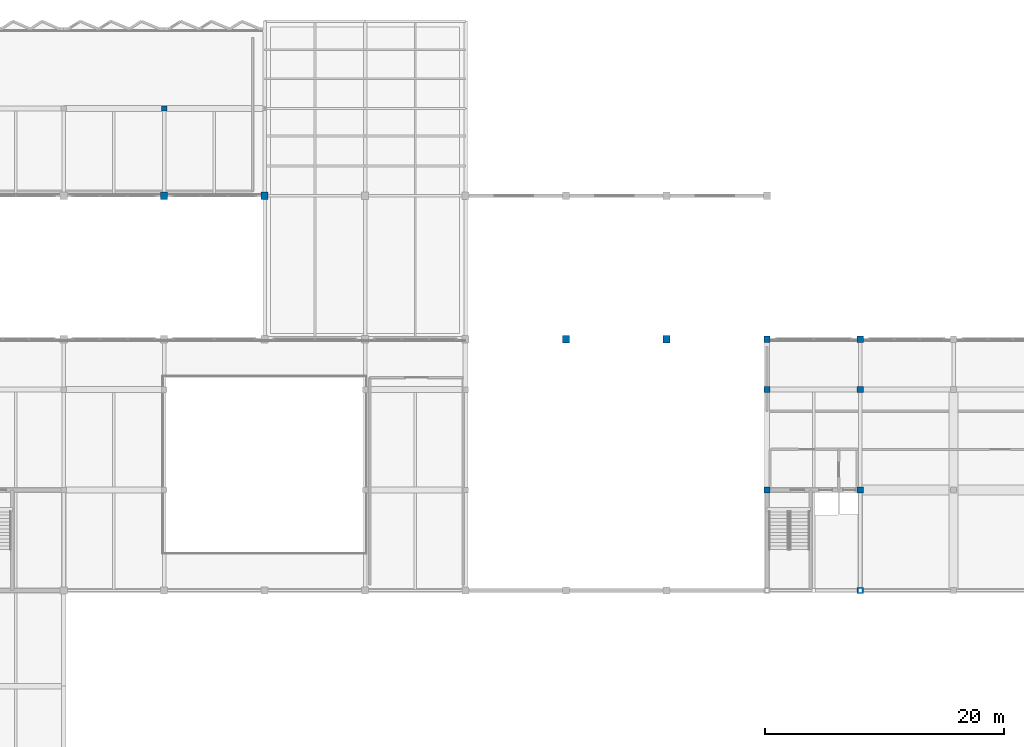
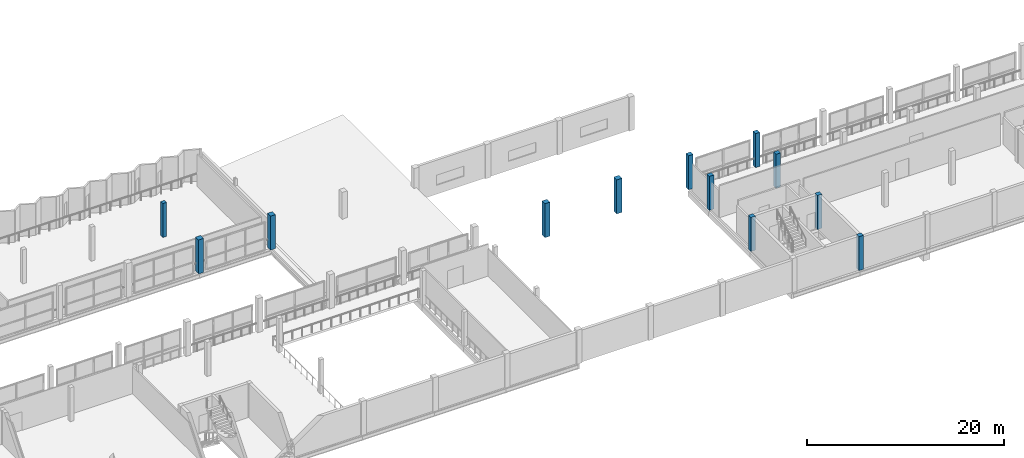
# One storey, part 2 of 53: 12 columns.
"""IFC4 building model written with IfcOpenShell, lengths in metres."""

from ifc_helpers import new_model, si_unit, direction, frame, origin, origin_2d, place, context, subcontext, project, spatial, rectangle, extrude, material, material_profile, profile_set, type_object, element, save


model = new_model("IFC4")

# Units and contexts
model_context = context("Model", 3, precision=1e-05, world=origin(), true_north=direction((0.0, 1.0)))
body_context = subcontext(model_context, "Body", "Model", "MODEL_VIEW")
ifc_project = project(units=[si_unit("LENGTHUNIT", "METRE"), si_unit("AREAUNIT", "SQUARE_METRE"), si_unit("VOLUMEUNIT", "CUBIC_METRE"), si_unit("PLANEANGLEUNIT", "RADIAN"), si_unit("MASSUNIT", "GRAM", prefix="KILO")], contexts=[model_context])

# Site, building, storey
site_placement = place(None, origin())
site = spatial("IfcSite", under=ifc_project, at=site_placement, CompositionType="ELEMENT")
building_placement = place(site_placement, origin())
building = spatial("IfcBuilding", under=site, at=building_placement, Name="Vharandega Faculty of Natural Sciences", CompositionType="ELEMENT")
storey_placement = place(building_placement, frame((0.0, 0.0, 10.199951171875)))
storey = spatial("IfcBuildingStorey", under=building, at=storey_placement, Name="L02", CompositionType="ELEMENT", Elevation=10.199951171875)

# Columns
ifc_material_1 = material(Name="Glulam GL32h", Category="wood")
ifc_material_profile_1 = material_profile(ifc_material_1, rectangle(XDim=0.449951171875, YDim=0.449951171875, at=origin_2d()), Name="GL32h 450x450")
ifc_profile_set_1 = profile_set([ifc_material_profile_1], Name="Glulam GL32h")
column_type_1 = type_object("IfcColumnType", Name="Glulam Column 450x450", PredefinedType="COLUMN", material=ifc_profile_set_1)
column_placement = place(storey_placement, frame((64.39990234375, 104.300048828125, 0.0), z_axis=(0.0, 0.0, 1.0), x_axis=(1.0, 0.0, 0.0)))
element("IfcColumn", 1, at=column_placement, inside=storey, type_object=column_type_1, Name="Column 9/P L02", PredefinedType="COLUMN", context=body_context, shape_type="SweptSolid", body=[
    extrude(rectangle(XDim=0.449951171875, YDim=0.449951171875, at=origin_2d()), origin(), (0.0, 0.0, 1.0), 4.199951171875),
])
ifc_material_2 = material(Name="Glulam GL32h", Category="wood")
ifc_material_profile_2 = material_profile(ifc_material_2, rectangle(XDim=0.52001953125, YDim=0.52001953125, at=origin_2d()), Name="GL32h 520x520")
ifc_profile_set_2 = profile_set([ifc_material_profile_2], Name="Glulam GL32h")
column_type_2 = type_object("IfcColumnType", Name="Glulam Column 520x520", PredefinedType="COLUMN", material=ifc_profile_set_2)
for number, where, z_axis, x_axis, name in (
    (2, (114.800048828125, 72.39990234375, 0.0), (0.0, 0.0, 1.0), (1.0, 0.0, 0.0), "Column 15/K L02"),
    (3, (114.800048828125, 80.800048828125, 0.0), (0.0, 0.0, 1.0), (1.0, 0.0, 0.0), "Column 15/L L02"),
    (4, (114.800048828125, 85.0, 0.0), (0.0, 0.0, 1.0), (1.0, 0.0, 0.0), "Column 15/M L02"),
    (5, (122.60009765625, 64.0, 0.0), (0.0, 0.0, 1.0), (1.0, 0.0, 0.0), "Column 16/J L02"),
    (6, (122.60009765625, 72.39990234375, 0.0), (0.0, 0.0, 1.0), (1.0, 0.0, 0.0), "Column 16/K L02"),
    (7, (122.60009765625, 80.800048828125, 0.0), (0.0, 0.0, 1.0), (1.0, 0.0, 0.0), "Column 16/L L02"),
    (8, (122.60009765625, 85.0, 0.0), (0.0, 0.0, 1.0), (1.0, 0.0, 0.0), "Column 16/M L02"),
):
    element("IfcColumn", number, at=place(storey_placement, frame(where, z_axis=z_axis, x_axis=x_axis)), inside=storey, type_object=column_type_2, Name=name, PredefinedType="COLUMN", context=body_context, shape_type="SweptSolid", body=[
        extrude(rectangle(XDim=0.52001953125, YDim=0.52001953125, at=origin_2d()), origin(), (0.0, 0.0, 1.0), 4.199951171875),
    ])
ifc_material_3 = material(Name="Concrete C40/50", Category="concrete")
ifc_material_profile_3 = material_profile(ifc_material_3, rectangle(XDim=0.60009765625, YDim=0.60009765625, at=origin_2d()), Name="RC 600x600")
ifc_profile_set_3 = profile_set([ifc_material_profile_3], Name="Concrete C40/50")
column_type_3 = type_object("IfcColumnType", Name="RC Column 600x600", PredefinedType="COLUMN", material=ifc_profile_set_3)
for number, where, z_axis, x_axis, name in (
    (9, (72.800048828125, 97.0, 0.0), (0.0, 0.0, 1.0), (1.0, 0.0, 0.0), "Column 10/N L02"),
    (10, (98.0, 85.0, 0.0), (0.0, 0.0, 1.0), (1.0, 0.0, 0.0), "Column 13/M L02"),
    (11, (106.39990234375, 85.0, 0.0), (0.0, 0.0, 1.0), (1.0, 0.0, 0.0), "Column 14/M L02"),
    (12, (64.39990234375, 97.0, 0.0), (0.0, 0.0, 1.0), (1.0, 0.0, 0.0), "Column 9/N L02"),
):
    element("IfcColumn", number, at=place(storey_placement, frame(where, z_axis=z_axis, x_axis=x_axis)), inside=storey, type_object=column_type_3, Name=name, PredefinedType="COLUMN", context=body_context, shape_type="SweptSolid", body=[
        extrude(rectangle(XDim=0.60009765625, YDim=0.60009765625, at=origin_2d()), origin(), (0.0, 0.0, 1.0), 4.199951171875),
    ])

save(model, "model.ifc")
